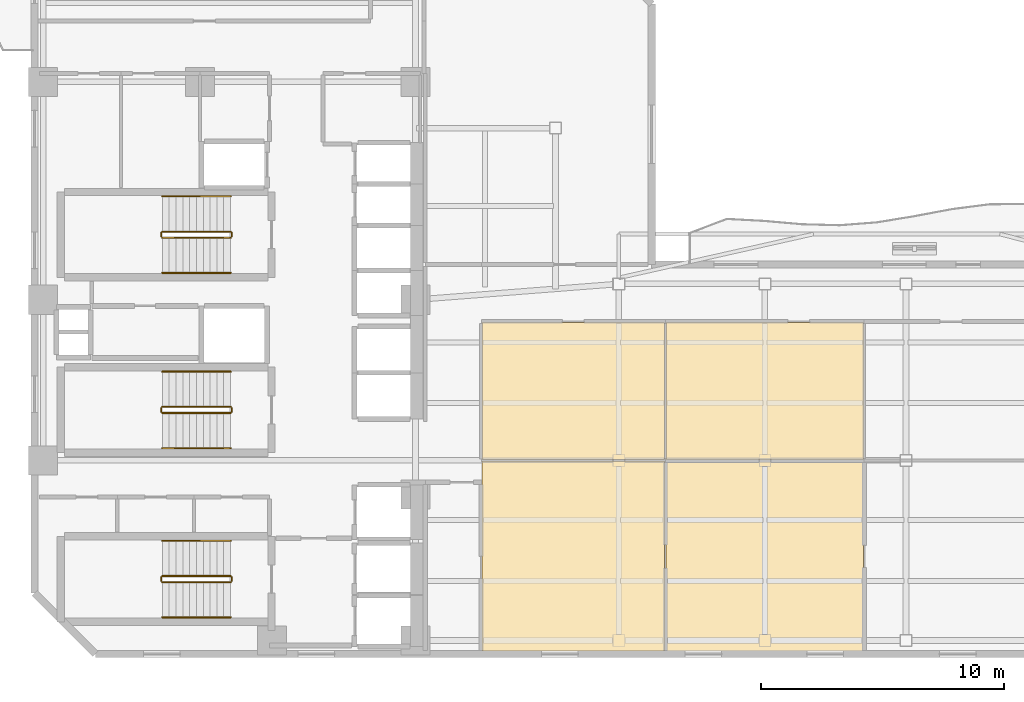
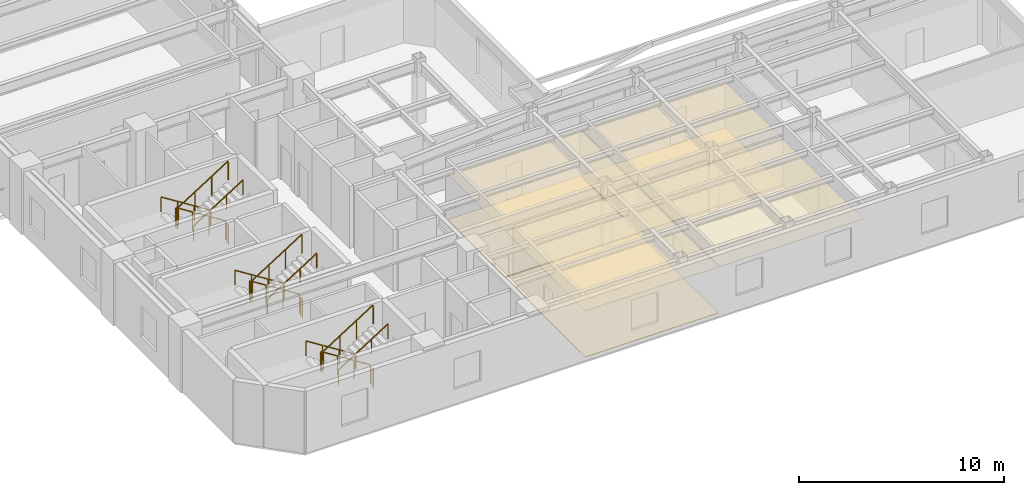
# One storey, part 7 of 10: 18 railings, 7 coverings.
"""IFC4 building model written with IfcOpenShell, lengths in metres."""

import ifcopenshell
import ifcopenshell.guid

model = None  # the IFC model being written
_history = None  # IfcOwnerHistory: only IFC2X3 demands one
_inside = {}  # id of a spatial element -> (the spatial element, [elements in it])
_under = {}  # id of a project, library or spatial element -> (it, [spatial elements below it])
_declared = {}  # id of a project -> (the project, [libraries it declares])
_typed = {}  # id of a type object -> (the type object, [elements of that type])
_made_of = {}  # id of a material, layer set ... -> (it, [elements and type objects made of it])


def new_model(schema):
    """Start an empty IFC model of exactly this schema.

    Asked for "IFC4X3", IfcOpenShell would pick the latest addendum, in which some entities
    have other attributes; the version numbers below select the first issue.
    IFC2X3 requires an IfcOwnerHistory on every rooted entity: one is made here for all.
    """
    global model, _history
    if schema == "IFC4X3":
        model = ifcopenshell.file(schema_version=(4, 3, 0, 0))
    else:
        model = ifcopenshell.file(schema=schema)
    _inside.clear()
    _under.clear()
    _declared.clear()
    _typed.clear()
    _made_of.clear()
    _history = None
    if model.schema == "IFC2X3":
        org = make("IfcOrganization", Name="unknown")
        user = make(
            "IfcPersonAndOrganization",
            ThePerson=make("IfcPerson", FamilyName="unknown"),
            TheOrganization=org,
        )
        app = make(
            "IfcApplication",
            ApplicationDeveloper=org,
            Version="unknown",
            ApplicationFullName="unknown",
            ApplicationIdentifier="unknown",
        )
        _history = make(
            "IfcOwnerHistory",
            OwningUser=user,
            OwningApplication=app,
            ChangeAction="ADDED",
            CreationDate=0,
        )
    return model


def make(cls, **values):
    """One entity of the class cls with the attributes given. An attribute that is None is left unset."""
    return model.create_entity(
        cls, **{name: value for name, value in values.items() if value is not None}
    )


def rooted(cls, **values):
    """An entity with a GlobalId (a new one), such as an element, a storey or a relation."""
    return make(cls, GlobalId=ifcopenshell.guid.new(), OwnerHistory=_history, **values)


def si_unit(unit_type, name, prefix=None):
    """IfcSIUnit, for example si_unit("LENGTHUNIT", "METRE", prefix="MILLI")."""
    return make("IfcSIUnit", UnitType=unit_type, Prefix=prefix, Name=name)


def assignment(units):
    """IfcUnitAssignment: the units of a project."""
    return None if units is None else make("IfcUnitAssignment", Units=units)


def point(xyz):
    """IfcCartesianPoint."""
    return None if xyz is None else make("IfcCartesianPoint", Coordinates=xyz)


def direction(xyz):
    """IfcDirection."""
    return None if xyz is None else make("IfcDirection", DirectionRatios=xyz)


def frame(location, z_axis=None, x_axis=None):
    """IfcAxis2Placement3D, a coordinate frame: its origin and axes. An axis left out is left unset."""
    return make(
        "IfcAxis2Placement3D",
        Location=point(location),
        Axis=direction(z_axis),
        RefDirection=direction(x_axis),
    )


def frame_2d(location, x_axis=None):
    """IfcAxis2Placement2D, a coordinate frame in the plane: its origin and x axis."""
    return make(
        "IfcAxis2Placement2D", Location=point(location), RefDirection=direction(x_axis)
    )


def origin():
    """The frame at (0, 0, 0) with its axes left unset."""
    return frame((0.0, 0.0, 0.0))


def origin_2d():
    """The frame at (0, 0) in the plane with its x axis left unset."""
    return frame_2d((0.0, 0.0))


def place(relative_to, where):
    """IfcLocalPlacement: puts the frame where relative to a parent placement (None: the world)."""
    return make(
        "IfcLocalPlacement", PlacementRelTo=relative_to, RelativePlacement=where
    )


def context(
    kind, dimensions, precision=None, world=None, true_north=None, identifier=None
):
    """IfcGeometricRepresentationContext, for example the 3D "Model" context."""
    return make(
        "IfcGeometricRepresentationContext",
        ContextIdentifier=identifier,
        ContextType=kind,
        CoordinateSpaceDimension=dimensions,
        Precision=precision,
        WorldCoordinateSystem=world,
        TrueNorth=true_north,
    )


def subcontext(parent, identifier, kind, view, scale=None):
    """IfcGeometricRepresentationSubContext, for example "Body" below "Model"."""
    return make(
        "IfcGeometricRepresentationSubContext",
        ContextIdentifier=identifier,
        ContextType=kind,
        ParentContext=parent,
        TargetScale=scale,
        TargetView=view,
    )


def project(units=None, contexts=None):
    """IfcProject with its units and contexts."""
    return rooted(
        "IfcProject",
        Name="project",
        RepresentationContexts=contexts,
        UnitsInContext=assignment(units),
    )


def spatial(cls, under=None, at=None, **own):
    """A site, building, storey or space (cls), placed at a placement, below another one or the project."""
    s = rooted(cls, ObjectPlacement=at, **own)
    if under is not None:
        _under.setdefault(under.id(), (under, []))[1].append(s)
    return s


def polyline(points):
    """IfcPolyline through the points."""
    return make("IfcPolyline", Points=[point(p) for p in points])


def profile(cls, at=None, kind="AREA", **sizes):
    """A parametric profile (cls). Its sizes go by their IFC names, for example OverallWidth=200.0."""
    return make(cls, ProfileType=kind, Position=at, **sizes)


def rectangle(**sizes):
    """IfcRectangleProfileDef."""
    return profile("IfcRectangleProfileDef", **sizes)


def outline(outer, holes=None, kind="AREA"):
    """IfcArbitraryClosedProfileDef: a profile drawn as a closed curve; with holes, ...WithVoids."""
    if holes is None:
        return make("IfcArbitraryClosedProfileDef", ProfileType=kind, OuterCurve=outer)
    return make(
        "IfcArbitraryProfileDefWithVoids",
        ProfileType=kind,
        OuterCurve=outer,
        InnerCurves=holes,
    )


def extrude(swept, where, along, depth):
    """IfcExtrudedAreaSolid: the profile swept, set in the frame where, extruded along a direction by depth."""
    return make(
        "IfcExtrudedAreaSolid",
        SweptArea=swept,
        Position=where,
        ExtrudedDirection=direction(along),
        Depth=depth,
    )


def shape(context_of_items, identifier, shape_type, items):
    """IfcShapeRepresentation: the items that make up one representation, for example the "Body"."""
    return make(
        "IfcShapeRepresentation",
        ContextOfItems=context_of_items,
        RepresentationIdentifier=identifier,
        RepresentationType=shape_type,
        Items=items,
    )


def material(Name=None, Category=None):
    """IfcMaterial."""
    return make("IfcMaterial", Name=Name, Category=Category)


def layer(
    of_material, thickness, ventilated=None, Name=None, Category=None, Priority=None
):
    """IfcMaterialLayer: one layer of a wall or slab, of a material (None: an air gap)."""
    return make(
        "IfcMaterialLayer",
        Material=of_material,
        LayerThickness=thickness,
        IsVentilated=ventilated,
        Name=Name,
        Category=Category,
        Priority=Priority,
    )


def layer_set(layers, Name=None):
    """IfcMaterialLayerSet."""
    return make("IfcMaterialLayerSet", MaterialLayers=layers, LayerSetName=Name)


def made_of(thing, what):
    """Note that an element or type object is made of a material, layer set ...; save() writes the relation."""
    if what is not None:
        _made_of.setdefault(what.id(), (what, []))[1].append(thing)
    return thing


def type_object(cls, material=None, **own):
    """A type object (cls), such as IfcWallType, which elements share."""
    return made_of(rooted(cls, **own), material)


def element(
    cls,
    number,
    at=None,
    inside=None,
    cuts=None,
    type_object=None,
    material=None,
    context=None,
    identifier="Body",
    shape_type=None,
    held_by="IfcProductDefinitionShape",
    body=None,
    shapes=None,
    **own,
):
    """One element of the class cls, such as IfcWall. Its Tag is "e" and its number.

    at: its placement. inside: the storey or other place that contains it. cuts: it is an
    opening in that element (IfcRelVoidsElement). A single representation is given by context,
    identifier, shape_type and body (its items); several are given by shapes. held_by: the class
    of the entity that holds the representations. save() writes the other relations.
    """
    e = rooted(cls, Tag="e%d" % number, ObjectPlacement=at, **own)
    if body is not None:
        shapes = [shape(context, identifier, shape_type, body)]
    if shapes is not None:
        e.Representation = make(held_by, Representations=shapes)
    if inside is not None:
        _inside.setdefault(inside.id(), (inside, []))[1].append(e)
    if cuts is not None:
        rooted(
            "IfcRelVoidsElement", RelatingBuildingElement=cuts, RelatedOpeningElement=e
        )
    if type_object is not None:
        _typed.setdefault(type_object.id(), (type_object, []))[1].append(e)
    return made_of(e, material)


def aggregate(whole, parts):
    """IfcRelAggregates: a whole, such as a stair, and the parts it consists of."""
    return rooted("IfcRelAggregates", RelatingObject=whole, RelatedObjects=parts)


def save(model, path):
    """Write the relations noted so far, then the file.

    IfcRelAggregates (storeys below a building ...), IfcRelContainedInSpatialStructure (elements
    in a storey), IfcRelDefinesByType, IfcRelAssociatesMaterial and IfcRelDeclares: one each for
    every whole, place, type object, material and project.
    """
    for whole, parts in _under.values():
        aggregate(whole, parts)
    for where, things in _inside.values():
        rooted(
            "IfcRelContainedInSpatialStructure",
            RelatedElements=things,
            RelatingStructure=where,
        )
    for kind, things in _typed.values():
        rooted("IfcRelDefinesByType", RelatedObjects=things, RelatingType=kind)
    for what, things in _made_of.values():
        rooted("IfcRelAssociatesMaterial", RelatedObjects=things, RelatingMaterial=what)
    for by, libraries in _declared.values():
        rooted("IfcRelDeclares", RelatingContext=by, RelatedDefinitions=libraries)
    model.write(path)


model = new_model("IFC4")

# Units and contexts
model_context = context("Model", 3, precision=1e-05, world=origin(), true_north=direction((0.0, 1.0)))
body_context = subcontext(model_context, "Body", "Model", "MODEL_VIEW")
ifc_project = project(units=[si_unit("LENGTHUNIT", "METRE"), si_unit("AREAUNIT", "SQUARE_METRE"), si_unit("VOLUMEUNIT", "CUBIC_METRE"), si_unit("PLANEANGLEUNIT", "RADIAN"), si_unit("MASSUNIT", "GRAM", prefix="KILO")], contexts=[model_context])

# Site, building, storey
site_placement = place(None, origin())
site = spatial("IfcSite", under=ifc_project, at=site_placement, CompositionType="ELEMENT")
building_placement = place(site_placement, origin())
building = spatial("IfcBuilding", under=site, at=building_placement, Name="Mawjaban Terraces University", CompositionType="ELEMENT")
storey_placement = place(building_placement, frame((0.0, 0.0, 122.89990234375)))
storey = spatial("IfcBuildingStorey", under=building, at=storey_placement, Name="L29", CompositionType="ELEMENT", Elevation=122.89990234375)

# Coverings
ifc_material_1 = material(Name="Acoustic mineral fibre ceiling tile", Category="masonry")
ifc_layer_1 = layer(ifc_material_1, 0.02001953125)
ifc_layer_set_1 = layer_set([ifc_layer_1], Name="Acoustic mineral fibre ceiling tile")
covering_type_1 = type_object("IfcCoveringType", Name="AcousticMineralCeiling_20", PredefinedType="CEILING", material=ifc_layer_set_1)
covering_1_placement = place(storey_placement, frame((0.0, 0.0, 2.75)))
element("IfcCovering", 1, at=covering_1_placement, inside=storey, type_object=covering_type_1, Name="L29 Quiet Reading Room 2 Acoustic Ceiling", PredefinedType="CEILING", context=body_context, shape_type="SweptSolid", body=[
    extrude(outline(polyline([(40.3798828125, 0.114990234375), (47.883056640625, 0.114990234375), (47.883056640625, 7.919921875), (40.3798828125, 7.919921875), (40.3798828125, 0.114990234375)])), origin(), (0.0, 0.0, 1.0), 0.02001953125),
])
covering_2_placement = place(storey_placement, frame((0.0, 0.0, 2.75)))
element("IfcCovering", 2, at=covering_2_placement, inside=storey, type_object=covering_type_1, Name="L29 Reading Salon 3 Acoustic Ceiling", PredefinedType="CEILING", context=body_context, shape_type="SweptSolid", body=[
    extrude(outline(polyline([(47.883056640625, 7.97998046875), (47.883056640625, 13.6201171875), (40.3798828125, 13.6201171875), (40.3798828125, 7.97998046875), (47.883056640625, 7.97998046875)])), origin(), (0.0, 0.0, 1.0), 0.02001953125),
])
covering_3_placement = place(storey_placement, frame((0.0, 0.0, 2.75)))
element("IfcCovering", 3, at=covering_3_placement, inside=storey, type_object=covering_type_1, Name="L29 Media Workshop 4 Acoustic Ceiling", PredefinedType="CEILING", context=body_context, shape_type="SweptSolid", body=[
    extrude(outline(polyline([(47.943115234375, 0.114990234375), (56.050048828125, 0.114990234375), (56.050048828125, 7.919921875), (47.943115234375, 7.919921875), (47.943115234375, 0.114990234375)])), origin(), (0.0, 0.0, 1.0), 0.02001953125),
])
covering_4_placement = place(storey_placement, frame((0.0, 0.0, 2.75)))
element("IfcCovering", 4, at=covering_4_placement, inside=storey, type_object=covering_type_1, Name="L29 Quiet Reading Room 5 Acoustic Ceiling", PredefinedType="CEILING", context=body_context, shape_type="SweptSolid", body=[
    extrude(outline(polyline([(56.050048828125, 7.97998046875), (56.050048828125, 13.6201171875), (47.943115234375, 13.6201171875), (47.943115234375, 7.97998046875), (56.050048828125, 7.97998046875)])), origin(), (0.0, 0.0, 1.0), 0.02001953125),
])

# Railings
ifc_material_2 = material(Name="Brushed stainless steel 316", Category="steel")
railing_type_1 = type_object("IfcRailingType", Name="StairWallHandrail_900", PredefinedType="HANDRAIL", material=ifc_material_2)
railing_1_placement = place(storey_placement, frame((30.050048828125, 4.64990234375, 0.177490234375)))
element("IfcRailing", 5, at=railing_1_placement, inside=storey, type_object=railing_type_1, Name="L29 ST-1 stair handrail 1", PredefinedType="HANDRAIL", context=body_context, shape_type="SweptSolid", body=[
    extrude(rectangle(XDim=0.048095703125, YDim=0.048095703125, at=origin_2d()), frame((0.0, 0.0, 0.8759765625), z_axis=(-0.844908973607, 0.0, 0.534910110503), x_axis=(0.0, -1.0, 0.0)), (0.0, 0.0, 1.0), 3.31396484375),
    extrude(rectangle(XDim=0.0419921875, YDim=0.0419921875, at=origin_2d()), origin(), (0.0, 0.0, 1.0), 0.851806640625),
    extrude(rectangle(XDim=0.0419921875, YDim=0.0419921875, at=origin_2d()), frame((-0.933349609375, 0.0, 0.5908203125)), (0.0, 0.0, 1.0), 0.851806640625),
    extrude(rectangle(XDim=0.0419921875, YDim=0.0419921875, at=origin_2d()), frame((-1.86669921875, 0.0, 1.181884765625)), (0.0, 0.0, 1.0), 0.851806640625),
    extrude(rectangle(XDim=0.0419921875, YDim=0.0419921875, at=origin_2d()), frame((-2.800048828125, 0.0, 1.772705078125)), (0.0, 0.0, 1.0), 0.851806640625),
])
railing_2_placement = place(storey_placement, frame((27.25, 1.5, 2.12744140625)))
element("IfcRailing", 6, at=railing_2_placement, inside=storey, type_object=railing_type_1, Name="L29 ST-1 stair handrail 2", PredefinedType="HANDRAIL", context=body_context, shape_type="SweptSolid", body=[
    extrude(rectangle(XDim=0.048095703125, YDim=0.048095703125, at=origin_2d()), frame((0.0, 0.0, 0.8759765625), z_axis=(0.844908973607, 0.0, 0.534910110503), x_axis=(0.0, 1.0, 0.0)), (0.0, 0.0, 1.0), 3.31396484375),
    extrude(rectangle(XDim=0.0419921875, YDim=0.0419921875, at=origin_2d()), origin(), (0.0, 0.0, 1.0), 0.851806640625),
    extrude(rectangle(XDim=0.0419921875, YDim=0.0419921875, at=origin_2d()), frame((0.933349609375, 0.0, 0.5908203125)), (0.0, 0.0, 1.0), 0.851806640625),
    extrude(rectangle(XDim=0.0419921875, YDim=0.0419921875, at=origin_2d()), frame((1.86669921875, 0.0, 1.181884765625)), (0.0, 0.0, 1.0), 0.851806640625),
    extrude(rectangle(XDim=0.0419921875, YDim=0.0419921875, at=origin_2d()), frame((2.800048828125, 0.0, 1.772705078125)), (0.0, 0.0, 1.0), 0.851806640625),
])
railing_3_placement = place(storey_placement, frame((30.050048828125, 18.800048828125, 0.177490234375)))
element("IfcRailing", 7, at=railing_3_placement, inside=storey, type_object=railing_type_1, Name="L29 ST-2 stair handrail 1", PredefinedType="HANDRAIL", context=body_context, shape_type="SweptSolid", body=[
    extrude(rectangle(XDim=0.048095703125, YDim=0.048095703125, at=origin_2d()), frame((0.0, 0.0, 0.8759765625), z_axis=(-0.844908973607, 0.0, 0.534910110503), x_axis=(0.0, -1.0, 0.0)), (0.0, 0.0, 1.0), 3.31396484375),
    extrude(rectangle(XDim=0.0419921875, YDim=0.0419921875, at=origin_2d()), origin(), (0.0, 0.0, 1.0), 0.851806640625),
    extrude(rectangle(XDim=0.0419921875, YDim=0.0419921875, at=origin_2d()), frame((-0.933349609375, 0.0, 0.5908203125)), (0.0, 0.0, 1.0), 0.851806640625),
    extrude(rectangle(XDim=0.0419921875, YDim=0.0419921875, at=origin_2d()), frame((-1.86669921875, 0.0, 1.181884765625)), (0.0, 0.0, 1.0), 0.851806640625),
    extrude(rectangle(XDim=0.0419921875, YDim=0.0419921875, at=origin_2d()), frame((-2.800048828125, 0.0, 1.772705078125)), (0.0, 0.0, 1.0), 0.851806640625),
])
railing_4_placement = place(storey_placement, frame((27.25, 15.64990234375, 2.12744140625)))
element("IfcRailing", 8, at=railing_4_placement, inside=storey, type_object=railing_type_1, Name="L29 ST-2 stair handrail 2", PredefinedType="HANDRAIL", context=body_context, shape_type="SweptSolid", body=[
    extrude(rectangle(XDim=0.048095703125, YDim=0.048095703125, at=origin_2d()), frame((0.0, 0.0, 0.8759765625), z_axis=(0.844908973607, 0.0, 0.534910110503), x_axis=(0.0, 1.0, 0.0)), (0.0, 0.0, 1.0), 3.31396484375),
    extrude(rectangle(XDim=0.0419921875, YDim=0.0419921875, at=origin_2d()), origin(), (0.0, 0.0, 1.0), 0.851806640625),
    extrude(rectangle(XDim=0.0419921875, YDim=0.0419921875, at=origin_2d()), frame((0.933349609375, 0.0, 0.5908203125)), (0.0, 0.0, 1.0), 0.851806640625),
    extrude(rectangle(XDim=0.0419921875, YDim=0.0419921875, at=origin_2d()), frame((1.86669921875, 0.0, 1.181884765625)), (0.0, 0.0, 1.0), 0.851806640625),
    extrude(rectangle(XDim=0.0419921875, YDim=0.0419921875, at=origin_2d()), frame((2.800048828125, 0.0, 1.772705078125)), (0.0, 0.0, 1.0), 0.851806640625),
])
railing_5_placement = place(storey_placement, frame((30.050048828125, 11.60009765625, 0.177490234375)))
element("IfcRailing", 9, at=railing_5_placement, inside=storey, type_object=railing_type_1, Name="L29 ST-3 stair handrail 1", PredefinedType="HANDRAIL", context=body_context, shape_type="SweptSolid", body=[
    extrude(rectangle(XDim=0.048095703125, YDim=0.048095703125, at=origin_2d()), frame((0.0, 0.0, 0.8759765625), z_axis=(-0.844908973607, 0.0, 0.534910110503), x_axis=(0.0, -1.0, 0.0)), (0.0, 0.0, 1.0), 3.31396484375),
    extrude(rectangle(XDim=0.0419921875, YDim=0.0419921875, at=origin_2d()), origin(), (0.0, 0.0, 1.0), 0.851806640625),
    extrude(rectangle(XDim=0.0419921875, YDim=0.0419921875, at=origin_2d()), frame((-0.933349609375, 0.0, 0.5908203125)), (0.0, 0.0, 1.0), 0.851806640625),
    extrude(rectangle(XDim=0.0419921875, YDim=0.0419921875, at=origin_2d()), frame((-1.86669921875, 0.0, 1.181884765625)), (0.0, 0.0, 1.0), 0.851806640625),
    extrude(rectangle(XDim=0.0419921875, YDim=0.0419921875, at=origin_2d()), frame((-2.800048828125, 0.0, 1.772705078125)), (0.0, 0.0, 1.0), 0.851806640625),
])
railing_6_placement = place(storey_placement, frame((27.25, 8.449951171875, 2.12744140625)))
element("IfcRailing", 10, at=railing_6_placement, inside=storey, type_object=railing_type_1, Name="L29 ST-3 stair handrail 2", PredefinedType="HANDRAIL", context=body_context, shape_type="SweptSolid", body=[
    extrude(rectangle(XDim=0.048095703125, YDim=0.048095703125, at=origin_2d()), frame((0.0, 0.0, 0.8759765625), z_axis=(0.844908973607, 0.0, 0.534910110503), x_axis=(0.0, 1.0, 0.0)), (0.0, 0.0, 1.0), 3.31396484375),
    extrude(rectangle(XDim=0.0419921875, YDim=0.0419921875, at=origin_2d()), origin(), (0.0, 0.0, 1.0), 0.851806640625),
    extrude(rectangle(XDim=0.0419921875, YDim=0.0419921875, at=origin_2d()), frame((0.933349609375, 0.0, 0.5908203125)), (0.0, 0.0, 1.0), 0.851806640625),
    extrude(rectangle(XDim=0.0419921875, YDim=0.0419921875, at=origin_2d()), frame((1.86669921875, 0.0, 1.181884765625)), (0.0, 0.0, 1.0), 0.851806640625),
    extrude(rectangle(XDim=0.0419921875, YDim=0.0419921875, at=origin_2d()), frame((2.800048828125, 0.0, 1.772705078125)), (0.0, 0.0, 1.0), 0.851806640625),
])
ifc_material_3 = material(Name="Galvanised painted steel S355", Category="steel")
railing_type_2 = type_object("IfcRailingType", Name="StairWellGuard_1150", PredefinedType="BALUSTRADE", material=ifc_material_3)
railing_7_placement = place(storey_placement, frame((30.050048828125, 3.199951171875, 0.177490234375)))
element("IfcRailing", 11, at=railing_7_placement, inside=storey, type_object=railing_type_2, Name="L29 ST-1 stair guard 1", PredefinedType="BALUSTRADE", context=body_context, shape_type="SweptSolid", body=[
    extrude(rectangle(XDim=0.048095703125, YDim=0.048095703125, at=origin_2d()), frame((0.0, 0.0, 1.1259765625), z_axis=(-0.844908973607, 0.0, 0.534910110503), x_axis=(0.0, -1.0, 0.0)), (0.0, 0.0, 1.0), 3.31396484375),
    extrude(rectangle(XDim=0.0419921875, YDim=0.0419921875, at=origin_2d()), origin(), (0.0, 0.0, 1.0), 1.101806640625),
    extrude(rectangle(XDim=0.0419921875, YDim=0.0419921875, at=origin_2d()), frame((-0.933349609375, 0.0, 0.5908203125)), (0.0, 0.0, 1.0), 1.101806640625),
    extrude(rectangle(XDim=0.0419921875, YDim=0.0419921875, at=origin_2d()), frame((-1.86669921875, 0.0, 1.181884765625)), (0.0, 0.0, 1.0), 1.101806640625),
    extrude(rectangle(XDim=0.0419921875, YDim=0.0419921875, at=origin_2d()), frame((-2.800048828125, 0.0, 1.772705078125)), (0.0, 0.0, 1.0), 1.101806640625),
])
railing_8_placement = place(storey_placement, frame((27.199951171875, 3.14990234375, 1.9501953125)))
element("IfcRailing", 12, at=railing_8_placement, inside=storey, type_object=railing_type_2, Name="L29 ST-1 stair guard 2", PredefinedType="BALUSTRADE", context=body_context, shape_type="SweptSolid", body=[
    extrude(rectangle(XDim=0.048095703125, YDim=0.048095703125, at=origin_2d()), frame((0.0, 0.0, 1.1259765625), z_axis=(0.0, -1.0, 0.0), x_axis=(1.0, 0.0, 0.0)), (0.0, 0.0, 1.0), 0.14990234375),
    extrude(rectangle(XDim=0.0419921875, YDim=0.0419921875, at=origin_2d()), origin(), (0.0, 0.0, 1.0), 1.101806640625),
    extrude(rectangle(XDim=0.0419921875, YDim=0.0419921875, at=origin_2d()), frame((0.0, -0.14990234375, 0.0)), (0.0, 0.0, 1.0), 1.101806640625),
])
railing_9_placement = place(storey_placement, frame((27.25, 2.949951171875, 2.12744140625)))
element("IfcRailing", 13, at=railing_9_placement, inside=storey, type_object=railing_type_2, Name="L29 ST-1 stair guard 3", PredefinedType="BALUSTRADE", context=body_context, shape_type="SweptSolid", body=[
    extrude(rectangle(XDim=0.048095703125, YDim=0.048095703125, at=origin_2d()), frame((0.0, 0.0, 1.1259765625), z_axis=(0.844908973607, 0.0, 0.534910110503), x_axis=(0.0, 1.0, 0.0)), (0.0, 0.0, 1.0), 3.31396484375),
    extrude(rectangle(XDim=0.0419921875, YDim=0.0419921875, at=origin_2d()), origin(), (0.0, 0.0, 1.0), 1.101806640625),
    extrude(rectangle(XDim=0.0419921875, YDim=0.0419921875, at=origin_2d()), frame((0.933349609375, 0.0, 0.5908203125)), (0.0, 0.0, 1.0), 1.101806640625),
    extrude(rectangle(XDim=0.0419921875, YDim=0.0419921875, at=origin_2d()), frame((1.86669921875, 0.0, 1.181884765625)), (0.0, 0.0, 1.0), 1.101806640625),
    extrude(rectangle(XDim=0.0419921875, YDim=0.0419921875, at=origin_2d()), frame((2.800048828125, 0.0, 1.772705078125)), (0.0, 0.0, 1.0), 1.101806640625),
])
railing_10_placement = place(storey_placement, frame((30.10009765625, 3.14990234375, 0.0)))
element("IfcRailing", 14, at=railing_10_placement, inside=storey, type_object=railing_type_2, Name="L29 ST-1 stair guard 4", PredefinedType="BALUSTRADE", context=body_context, shape_type="SweptSolid", body=[
    extrude(rectangle(XDim=0.048095703125, YDim=0.048095703125, at=origin_2d()), frame((0.0, 0.0, 1.1259765625), z_axis=(0.0, -1.0, 0.0), x_axis=(1.0, 0.0, 0.0)), (0.0, 0.0, 1.0), 0.14990234375),
    extrude(rectangle(XDim=0.0419921875, YDim=0.0419921875, at=origin_2d()), origin(), (0.0, 0.0, 1.0), 1.101806640625),
    extrude(rectangle(XDim=0.0419921875, YDim=0.0419921875, at=origin_2d()), frame((0.0, -0.14990234375, 0.0)), (0.0, 0.0, 1.0), 1.101806640625),
])
railing_11_placement = place(storey_placement, frame((30.050048828125, 17.35009765625, 0.177490234375)))
element("IfcRailing", 15, at=railing_11_placement, inside=storey, type_object=railing_type_2, Name="L29 ST-2 stair guard 1", PredefinedType="BALUSTRADE", context=body_context, shape_type="SweptSolid", body=[
    extrude(rectangle(XDim=0.048095703125, YDim=0.048095703125, at=origin_2d()), frame((0.0, 0.0, 1.1259765625), z_axis=(-0.844908973607, 0.0, 0.534910110503), x_axis=(0.0, -1.0, 0.0)), (0.0, 0.0, 1.0), 3.31396484375),
    extrude(rectangle(XDim=0.0419921875, YDim=0.0419921875, at=origin_2d()), origin(), (0.0, 0.0, 1.0), 1.101806640625),
    extrude(rectangle(XDim=0.0419921875, YDim=0.0419921875, at=origin_2d()), frame((-0.933349609375, 0.0, 0.5908203125)), (0.0, 0.0, 1.0), 1.101806640625),
    extrude(rectangle(XDim=0.0419921875, YDim=0.0419921875, at=origin_2d()), frame((-1.86669921875, 0.0, 1.181884765625)), (0.0, 0.0, 1.0), 1.101806640625),
    extrude(rectangle(XDim=0.0419921875, YDim=0.0419921875, at=origin_2d()), frame((-2.800048828125, 0.0, 1.772705078125)), (0.0, 0.0, 1.0), 1.101806640625),
])
railing_12_placement = place(storey_placement, frame((27.199951171875, 17.300048828125, 1.9501953125)))
element("IfcRailing", 16, at=railing_12_placement, inside=storey, type_object=railing_type_2, Name="L29 ST-2 stair guard 2", PredefinedType="BALUSTRADE", context=body_context, shape_type="SweptSolid", body=[
    extrude(rectangle(XDim=0.048095703125, YDim=0.048095703125, at=origin_2d()), frame((0.0, 0.0, 1.1259765625), z_axis=(0.0, -1.0, 0.0), x_axis=(1.0, 0.0, 0.0)), (0.0, 0.0, 1.0), 0.150146484375),
    extrude(rectangle(XDim=0.0419921875, YDim=0.0419921875, at=origin_2d()), origin(), (0.0, 0.0, 1.0), 1.101806640625),
    extrude(rectangle(XDim=0.0419921875, YDim=0.0419921875, at=origin_2d()), frame((0.0, -0.150146484375, 0.0)), (0.0, 0.0, 1.0), 1.101806640625),
])
railing_13_placement = place(storey_placement, frame((27.25, 17.10009765625, 2.12744140625)))
element("IfcRailing", 17, at=railing_13_placement, inside=storey, type_object=railing_type_2, Name="L29 ST-2 stair guard 3", PredefinedType="BALUSTRADE", context=body_context, shape_type="SweptSolid", body=[
    extrude(rectangle(XDim=0.048095703125, YDim=0.048095703125, at=origin_2d()), frame((0.0, 0.0, 1.1259765625), z_axis=(0.844908973607, 0.0, 0.534910110503), x_axis=(0.0, 1.0, 0.0)), (0.0, 0.0, 1.0), 3.31396484375),
    extrude(rectangle(XDim=0.0419921875, YDim=0.0419921875, at=origin_2d()), origin(), (0.0, 0.0, 1.0), 1.101806640625),
    extrude(rectangle(XDim=0.0419921875, YDim=0.0419921875, at=origin_2d()), frame((0.933349609375, 0.0, 0.5908203125)), (0.0, 0.0, 1.0), 1.101806640625),
    extrude(rectangle(XDim=0.0419921875, YDim=0.0419921875, at=origin_2d()), frame((1.86669921875, 0.0, 1.181884765625)), (0.0, 0.0, 1.0), 1.101806640625),
    extrude(rectangle(XDim=0.0419921875, YDim=0.0419921875, at=origin_2d()), frame((2.800048828125, 0.0, 1.772705078125)), (0.0, 0.0, 1.0), 1.101806640625),
])
railing_14_placement = place(storey_placement, frame((30.10009765625, 17.300048828125, 0.0)))
element("IfcRailing", 18, at=railing_14_placement, inside=storey, type_object=railing_type_2, Name="L29 ST-2 stair guard 4", PredefinedType="BALUSTRADE", context=body_context, shape_type="SweptSolid", body=[
    extrude(rectangle(XDim=0.048095703125, YDim=0.048095703125, at=origin_2d()), frame((0.0, 0.0, 1.1259765625), z_axis=(0.0, -1.0, 0.0), x_axis=(1.0, 0.0, 0.0)), (0.0, 0.0, 1.0), 0.150146484375),
    extrude(rectangle(XDim=0.0419921875, YDim=0.0419921875, at=origin_2d()), origin(), (0.0, 0.0, 1.0), 1.101806640625),
    extrude(rectangle(XDim=0.0419921875, YDim=0.0419921875, at=origin_2d()), frame((0.0, -0.150146484375, 0.0)), (0.0, 0.0, 1.0), 1.101806640625),
])
railing_15_placement = place(storey_placement, frame((30.050048828125, 10.14990234375, 0.177490234375)))
element("IfcRailing", 19, at=railing_15_placement, inside=storey, type_object=railing_type_2, Name="L29 ST-3 stair guard 1", PredefinedType="BALUSTRADE", context=body_context, shape_type="SweptSolid", body=[
    extrude(rectangle(XDim=0.048095703125, YDim=0.048095703125, at=origin_2d()), frame((0.0, 0.0, 1.1259765625), z_axis=(-0.844908973607, 0.0, 0.534910110503), x_axis=(0.0, -1.0, 0.0)), (0.0, 0.0, 1.0), 3.31396484375),
    extrude(rectangle(XDim=0.0419921875, YDim=0.0419921875, at=origin_2d()), origin(), (0.0, 0.0, 1.0), 1.101806640625),
    extrude(rectangle(XDim=0.0419921875, YDim=0.0419921875, at=origin_2d()), frame((-0.933349609375, 0.0, 0.5908203125)), (0.0, 0.0, 1.0), 1.101806640625),
    extrude(rectangle(XDim=0.0419921875, YDim=0.0419921875, at=origin_2d()), frame((-1.86669921875, 0.0, 1.181884765625)), (0.0, 0.0, 1.0), 1.101806640625),
    extrude(rectangle(XDim=0.0419921875, YDim=0.0419921875, at=origin_2d()), frame((-2.800048828125, 0.0, 1.772705078125)), (0.0, 0.0, 1.0), 1.101806640625),
])
railing_16_placement = place(storey_placement, frame((27.199951171875, 10.10009765625, 1.9501953125)))
element("IfcRailing", 20, at=railing_16_placement, inside=storey, type_object=railing_type_2, Name="L29 ST-3 stair guard 2", PredefinedType="BALUSTRADE", context=body_context, shape_type="SweptSolid", body=[
    extrude(rectangle(XDim=0.048095703125, YDim=0.048095703125, at=origin_2d()), frame((0.0, 0.0, 1.1259765625), z_axis=(0.0, -1.0, 0.0), x_axis=(1.0, 0.0, 0.0)), (0.0, 0.0, 1.0), 0.150146484375),
    extrude(rectangle(XDim=0.0419921875, YDim=0.0419921875, at=origin_2d()), origin(), (0.0, 0.0, 1.0), 1.101806640625),
    extrude(rectangle(XDim=0.0419921875, YDim=0.0419921875, at=origin_2d()), frame((0.0, -0.150146484375, 0.0)), (0.0, 0.0, 1.0), 1.101806640625),
])
railing_17_placement = place(storey_placement, frame((27.25, 9.89990234375, 2.12744140625)))
element("IfcRailing", 21, at=railing_17_placement, inside=storey, type_object=railing_type_2, Name="L29 ST-3 stair guard 3", PredefinedType="BALUSTRADE", context=body_context, shape_type="SweptSolid", body=[
    extrude(rectangle(XDim=0.048095703125, YDim=0.048095703125, at=origin_2d()), frame((0.0, 0.0, 1.1259765625), z_axis=(0.844908973607, 0.0, 0.534910110503), x_axis=(0.0, 1.0, 0.0)), (0.0, 0.0, 1.0), 3.31396484375),
    extrude(rectangle(XDim=0.0419921875, YDim=0.0419921875, at=origin_2d()), origin(), (0.0, 0.0, 1.0), 1.101806640625),
    extrude(rectangle(XDim=0.0419921875, YDim=0.0419921875, at=origin_2d()), frame((0.933349609375, 0.0, 0.5908203125)), (0.0, 0.0, 1.0), 1.101806640625),
    extrude(rectangle(XDim=0.0419921875, YDim=0.0419921875, at=origin_2d()), frame((1.86669921875, 0.0, 1.181884765625)), (0.0, 0.0, 1.0), 1.101806640625),
    extrude(rectangle(XDim=0.0419921875, YDim=0.0419921875, at=origin_2d()), frame((2.800048828125, 0.0, 1.772705078125)), (0.0, 0.0, 1.0), 1.101806640625),
])
railing_18_placement = place(storey_placement, frame((30.10009765625, 10.10009765625, 0.0)))
element("IfcRailing", 22, at=railing_18_placement, inside=storey, type_object=railing_type_2, Name="L29 ST-3 stair guard 4", PredefinedType="BALUSTRADE", context=body_context, shape_type="SweptSolid", body=[
    extrude(rectangle(XDim=0.048095703125, YDim=0.048095703125, at=origin_2d()), frame((0.0, 0.0, 1.1259765625), z_axis=(0.0, -1.0, 0.0), x_axis=(1.0, 0.0, 0.0)), (0.0, 0.0, 1.0), 0.150146484375),
    extrude(rectangle(XDim=0.0419921875, YDim=0.0419921875, at=origin_2d()), origin(), (0.0, 0.0, 1.0), 1.101806640625),
    extrude(rectangle(XDim=0.0419921875, YDim=0.0419921875, at=origin_2d()), frame((0.0, -0.150146484375, 0.0)), (0.0, 0.0, 1.0), 1.101806640625),
])

# Coverings
ifc_material_4 = material(Name="Polished Hijazi granite terrazzo flooring", Category="masonry")
ifc_layer_2 = layer(ifc_material_4, 0.02490234375)
ifc_layer_set_2 = layer_set([ifc_layer_2], Name="Polished Hijazi granite terrazzo flooring")
covering_type_2 = type_object("IfcCoveringType", Name="TerrazzoConcourseFlooring_25", PredefinedType="FLOORING", material=ifc_layer_set_2)
covering_5_placement = place(storey_placement, origin())
element("IfcCovering", 23, at=covering_5_placement, inside=storey, type_object=covering_type_2, Name="L29 Quiet Reading Room 2 Terrazzo Flooring", PredefinedType="FLOORING", context=body_context, shape_type="SweptSolid", body=[
    extrude(outline(polyline([(40.3798828125, 0.114990234375), (47.883056640625, 0.114990234375), (47.883056640625, 7.919921875), (40.3798828125, 7.919921875), (40.3798828125, 0.114990234375)])), origin(), (0.0, 0.0, 1.0), 0.025146484375),
])
covering_6_placement = place(storey_placement, origin())
element("IfcCovering", 24, at=covering_6_placement, inside=storey, type_object=covering_type_2, Name="L29 Reading Salon 3 Terrazzo Flooring", PredefinedType="FLOORING", context=body_context, shape_type="SweptSolid", body=[
    extrude(outline(polyline([(47.883056640625, 7.97998046875), (47.883056640625, 13.6201171875), (40.3798828125, 13.6201171875), (40.3798828125, 7.97998046875), (47.883056640625, 7.97998046875)])), origin(), (0.0, 0.0, 1.0), 0.025146484375),
])
covering_7_placement = place(storey_placement, origin())
element("IfcCovering", 25, at=covering_7_placement, inside=storey, type_object=covering_type_2, Name="L29 Quiet Reading Room 5 Terrazzo Flooring", PredefinedType="FLOORING", context=body_context, shape_type="SweptSolid", body=[
    extrude(outline(polyline([(56.050048828125, 7.97998046875), (56.050048828125, 13.6201171875), (47.943115234375, 13.6201171875), (47.943115234375, 7.97998046875), (56.050048828125, 7.97998046875)])), origin(), (0.0, 0.0, 1.0), 0.025146484375),
])

save(model, "model.ifc")
